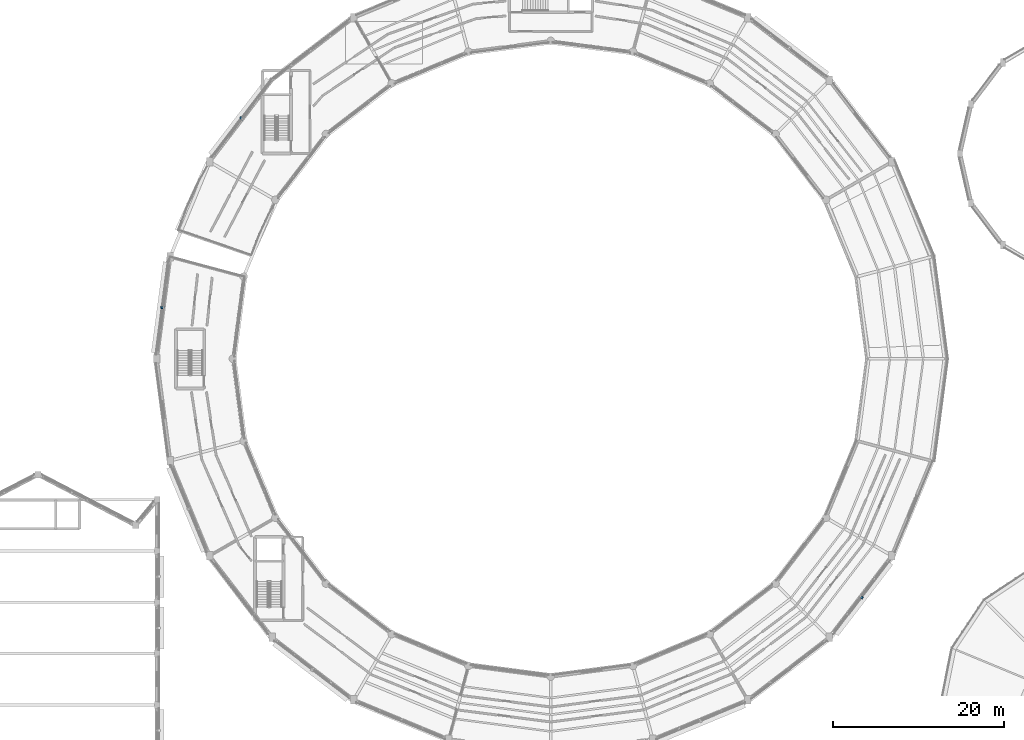
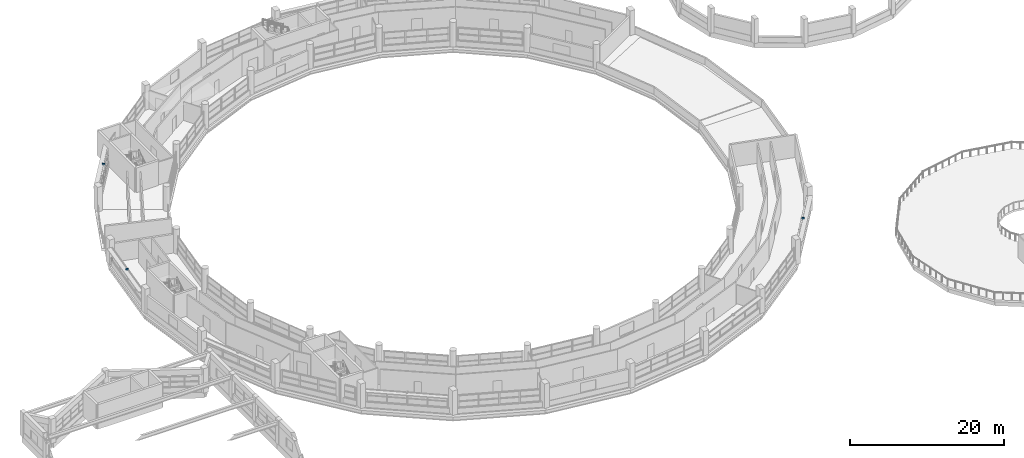
# One storey, part 99 of 108: 3 discrete accessories.
"""IFC4 building model written with IfcOpenShell, lengths in metres."""

from ifc_helpers import new_model, si_unit, direction, frame, origin, origin_2d, place, context, subcontext, project, spatial, rectangle, extrude, material, type_object, element, save


model = new_model("IFC4")

# Units and contexts
model_context = context("Model", 3, precision=1e-05, world=origin(), true_north=direction((0.0, 1.0)))
body_context = subcontext(model_context, "Body", "Model", "MODEL_VIEW")
ifc_project = project(units=[si_unit("LENGTHUNIT", "METRE"), si_unit("AREAUNIT", "SQUARE_METRE"), si_unit("VOLUMEUNIT", "CUBIC_METRE"), si_unit("PLANEANGLEUNIT", "RADIAN"), si_unit("MASSUNIT", "GRAM", prefix="KILO")], contexts=[model_context])

# Site, building, storey
site_placement = place(None, origin())
site = spatial("IfcSite", under=ifc_project, at=site_placement, CompositionType="ELEMENT")
building_placement = place(site_placement, origin())
building = spatial("IfcBuilding", under=site, at=building_placement, Name="Vespera Passage Community Centre", CompositionType="ELEMENT")
storey_placement = place(building_placement, frame((0.0, 0.0, 12.60009765625)))
storey = spatial("IfcBuildingStorey", under=building, at=storey_placement, Name="L03", CompositionType="ELEMENT", Elevation=12.60009765625)

# Discrete accessories
ifc_material = material(Name="Steel ASTM A572 Grade 50", Category="steel")
discrete_accessory_type = type_object("IfcDiscreteAccessoryType", Name="ACC-BRACKET", PredefinedType="BRACKET", material=ifc_material)
for number, where, z_axis, x_axis, name in (
    (1, (41.80810546875, 93.6435546875, 2.66552734375), (0.0, 0.0, 1.0), (0.608761429009, 0.793353340291, 0.0), "V4 L03 Outer Solar Eyebrow 9 Bracket"),
    (2, (32.546630859375, 71.484130859375, 2.66552734375), (0.0, 0.0, 1.0), (0.130508888223, 0.991447139335, 0.0), "V4 L03 Outer Solar Eyebrow 11 Bracket"),
    (3, (114.371826171875, 37.591064453125, 2.66552734375), (0.0, 0.0, 1.0), (-0.608761429009, -0.793353340291, 0.0), "V4 L03 Outer Solar Eyebrow 21 Bracket"),
):
    element("IfcDiscreteAccessory", number, at=place(storey_placement, frame(where, z_axis=z_axis, x_axis=x_axis)), inside=storey, type_object=discrete_accessory_type, Name=name, PredefinedType="BRACKET", context=body_context, shape_type="SweptSolid", body=[
        extrude(rectangle(XDim=0.239990234375, YDim=0.3798828125, at=origin_2d()), origin(), (0.0, 0.0, 1.0), 0.239990234375),
    ])

save(model, "model.ifc")
